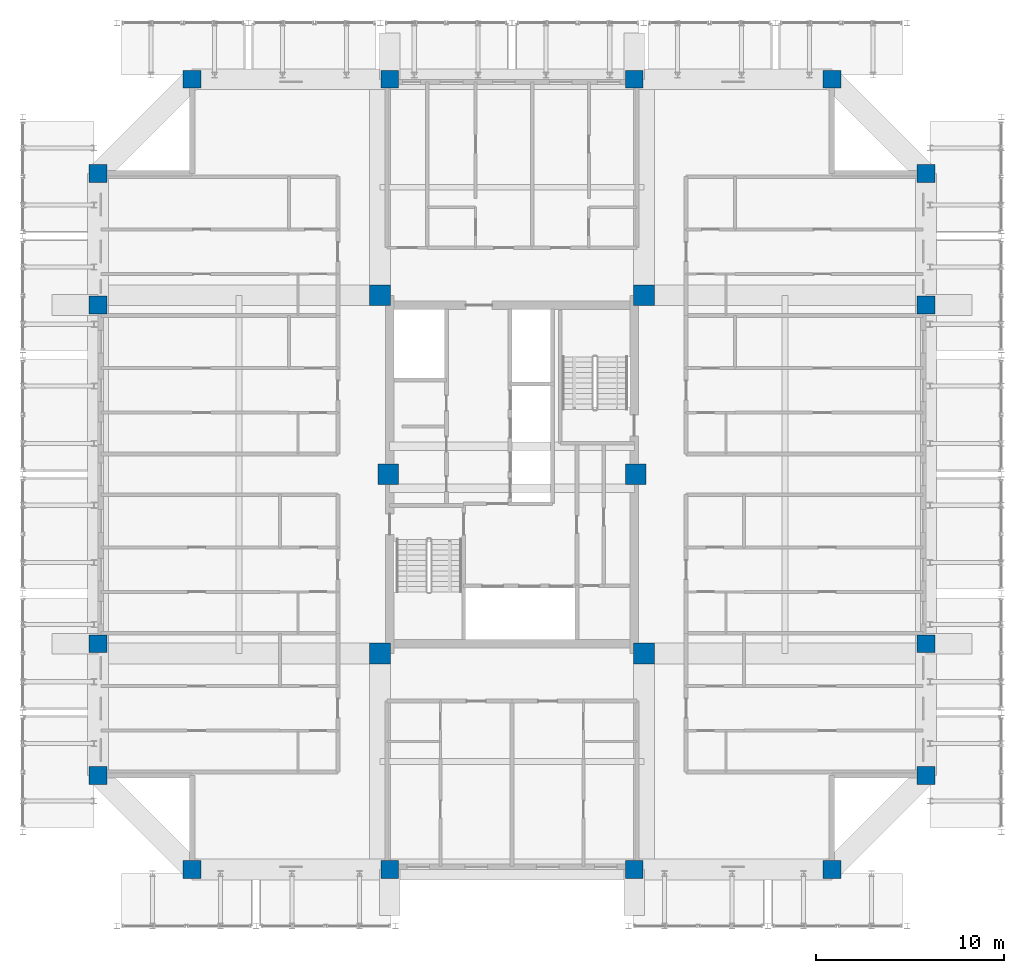
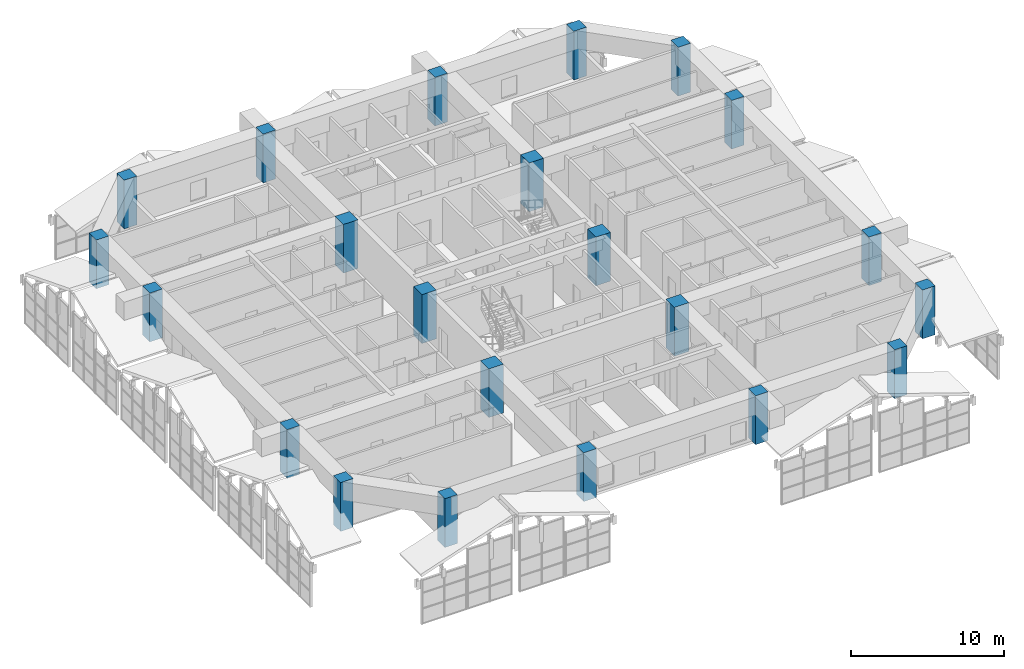
# One storey, part 1 of 45: 22 columns.
"""IFC4 building model written with IfcOpenShell, lengths in metres."""

from ifc_helpers import new_model, si_unit, direction, frame, origin, origin_2d, place, context, subcontext, project, spatial, rectangle, extrude, source, transform, mapped, material, material_profile, profile_set, type_object, element, save


model = new_model("IFC4")

# Units and contexts
model_context = context("Model", 3, precision=1e-05, world=origin(), true_north=direction((0.0, 1.0)))
body_context = subcontext(model_context, "Body", "Model", "MODEL_VIEW")
ifc_project = project(units=[si_unit("LENGTHUNIT", "METRE"), si_unit("AREAUNIT", "SQUARE_METRE"), si_unit("VOLUMEUNIT", "CUBIC_METRE"), si_unit("PLANEANGLEUNIT", "RADIAN"), si_unit("MASSUNIT", "GRAM", prefix="KILO")], contexts=[model_context])

# Site, building, storey
site_placement = place(None, origin())
site = spatial("IfcSite", under=ifc_project, at=site_placement, CompositionType="ELEMENT")
building_placement = place(site_placement, origin())
building = spatial("IfcBuilding", under=site, at=building_placement, Name="Saelheon Loggia Tower", CompositionType="ELEMENT")
storey_placement = place(building_placement, frame((0.0, 0.0, 152.199951171875)))
storey = spatial("IfcBuildingStorey", under=building, at=storey_placement, Name="L48", CompositionType="ELEMENT", Elevation=152.199951171875)

# Columns
ifc_material = material(Name="Concrete C50/60", Category="concrete")
ifc_material_profile_1 = material_profile(ifc_material, rectangle(XDim=1.10009765625, YDim=1.10009765625, at=origin_2d()), Name="RC-1100x1100")
ifc_profile_set_1 = profile_set([ifc_material_profile_1], Name="Concrete C50/60")
column_type_1 = type_object("IfcColumnType", Name="Col_Core_RC1100", PredefinedType="COLUMN", material=ifc_profile_set_1)
shared_shape_1 = source(origin(), body_context, "Body", "SweptSolid", [
    extrude(rectangle(XDim=1.10009765625, YDim=1.10009765625, at=origin_2d()), origin(), (0.0, 0.0, 1.0), 3.900146484375),
])
for number, where, z_axis, x_axis, name in (
    (1, (30.97998046875, 17.47998046875, 0.0), (0.0, 0.0, 1.0), (1.0, 0.0, 0.0), "L48 Core Column CR-SW"),
    (2, (45.02001953125, 17.47998046875, 0.0), (0.0, 0.0, 1.0), (1.0, 0.0, 0.0), "L48 Core Column CR-SE"),
    (3, (30.97998046875, 36.52001953125, 0.0), (0.0, 0.0, 1.0), (1.0, 0.0, 0.0), "L48 Core Column CR-NW"),
    (4, (45.02001953125, 36.52001953125, 0.0), (0.0, 0.0, 1.0), (1.0, 0.0, 0.0), "L48 Core Column CR-NE"),
    (5, (31.419921875, 27.0, 0.0), (0.0, 0.0, 1.0), (1.0, 0.0, 0.0), "L48 Core Column CR-MW"),
    (6, (44.580078125, 27.0, 0.0), (0.0, 0.0, 1.0), (1.0, 0.0, 0.0), "L48 Core Column CR-ME"),
):
    element("IfcColumn", number, at=place(storey_placement, frame(where, z_axis=z_axis, x_axis=x_axis)), inside=storey, type_object=column_type_1, Name=name, PredefinedType="COLUMN", context=body_context, shape_type="MappedRepresentation", body=[
        mapped(shared_shape_1, transform((0.0, 0.0, 0.0), scale=1.0)),
    ])
ifc_material_profile_2 = material_profile(ifc_material, rectangle(XDim=0.949951171875, YDim=0.949951171875, at=origin_2d()), Name="RC-950x950")
ifc_profile_set_2 = profile_set([ifc_material_profile_2], Name="Concrete C50/60")
column_type_2 = type_object("IfcColumnType", Name="Col_Perim_RC950", PredefinedType="COLUMN", material=ifc_profile_set_2)
shared_shape_2 = source(origin(), body_context, "Body", "SweptSolid", [
    extrude(rectangle(XDim=0.949951171875, YDim=0.949951171875, at=origin_2d()), origin(), (0.0, 0.0, 1.0), 3.900146484375),
])
for number, where, z_axis, x_axis, name in (
    (7, (21.0, 6.0, 0.0), (0.0, 0.0, 1.0), (1.0, 0.0, 0.0), "L48 Perimeter Column TP-S1"),
    (8, (31.5, 6.0, 0.0), (0.0, 0.0, 1.0), (1.0, 0.0, 0.0), "L48 Perimeter Column TP-SA"),
    (9, (44.5, 6.0, 0.0), (0.0, 0.0, 1.0), (1.0, 0.0, 0.0), "L48 Perimeter Column TP-SB"),
    (10, (55.0, 6.0, 0.0), (0.0, 0.0, 1.0), (1.0, 0.0, 0.0), "L48 Perimeter Column TP-S2"),
    (11, (60.0, 11.0, 0.0), (0.0, 0.0, 1.0), (1.0, 0.0, 0.0), "L48 Perimeter Column TP-E1"),
    (12, (60.0, 18.0, 0.0), (0.0, 0.0, 1.0), (1.0, 0.0, 0.0), "L48 Perimeter Column TP-EA"),
    (13, (60.0, 36.0, 0.0), (0.0, 0.0, 1.0), (1.0, 0.0, 0.0), "L48 Perimeter Column TP-EB"),
    (14, (60.0, 43.0, 0.0), (0.0, 0.0, 1.0), (1.0, 0.0, 0.0), "L48 Perimeter Column TP-E2"),
    (15, (55.0, 48.0, 0.0), (0.0, 0.0, 1.0), (1.0, 0.0, 0.0), "L48 Perimeter Column TP-N2"),
    (16, (44.5, 48.0, 0.0), (0.0, 0.0, 1.0), (1.0, 0.0, 0.0), "L48 Perimeter Column TP-NB"),
    (17, (31.5, 48.0, 0.0), (0.0, 0.0, 1.0), (1.0, 0.0, 0.0), "L48 Perimeter Column TP-NA"),
    (18, (21.0, 48.0, 0.0), (0.0, 0.0, 1.0), (1.0, 0.0, 0.0), "L48 Perimeter Column TP-N1"),
    (19, (16.0, 43.0, 0.0), (0.0, 0.0, 1.0), (1.0, 0.0, 0.0), "L48 Perimeter Column TP-W2"),
    (20, (16.0, 36.0, 0.0), (0.0, 0.0, 1.0), (1.0, 0.0, 0.0), "L48 Perimeter Column TP-WB"),
    (21, (16.0, 18.0, 0.0), (0.0, 0.0, 1.0), (1.0, 0.0, 0.0), "L48 Perimeter Column TP-WA"),
    (22, (16.0, 11.0, 0.0), (0.0, 0.0, 1.0), (1.0, 0.0, 0.0), "L48 Perimeter Column TP-W1"),
):
    element("IfcColumn", number, at=place(storey_placement, frame(where, z_axis=z_axis, x_axis=x_axis)), inside=storey, type_object=column_type_2, Name=name, PredefinedType="COLUMN", context=body_context, shape_type="MappedRepresentation", body=[
        mapped(shared_shape_2, transform((0.0, 0.0, 0.0), scale=1.0)),
    ])

save(model, "model.ifc")
